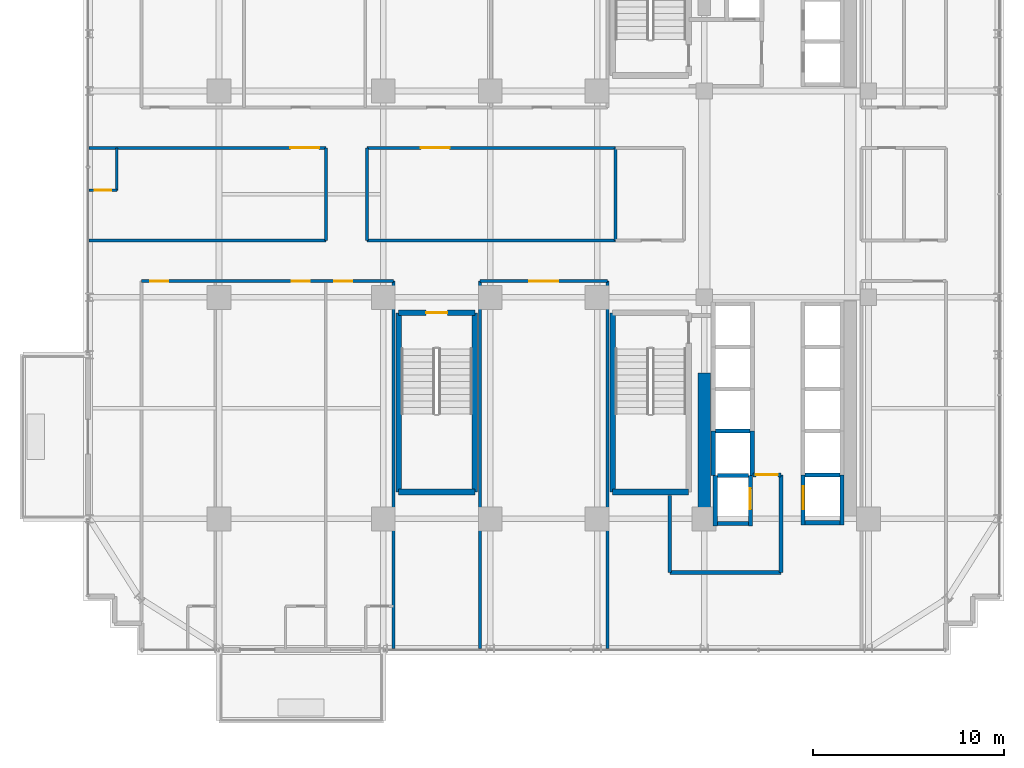
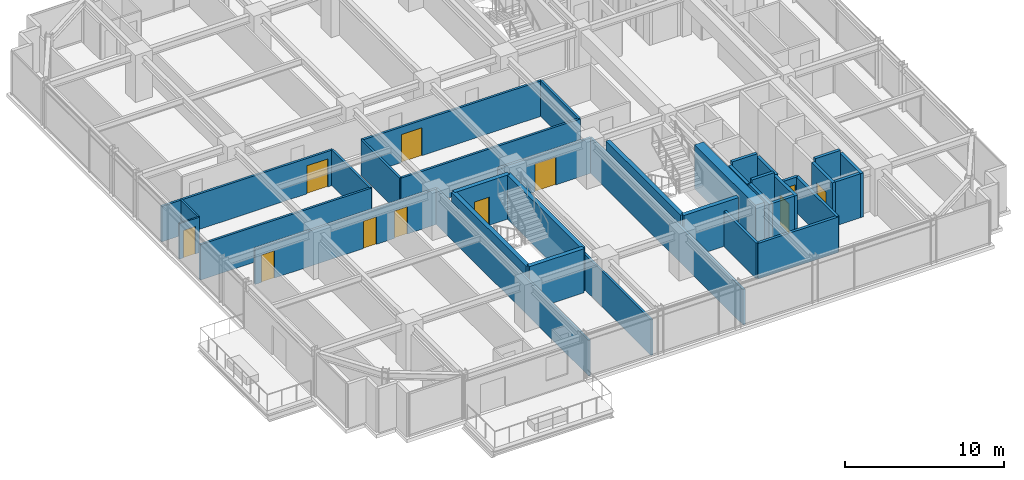
# One storey, part 26 of 32: 36 walls, 11 doors, 11 openings.
"""IFC4 building model written with IfcOpenShell, lengths in metres."""

from ifc_helpers import new_model, si_unit, direction, frame, frame_2d, origin, place, context, subcontext, project, spatial, rectangle, extrude, source, transform, mapped, material, layer, layer_set, type_object, element, fill, save


model = new_model("IFC4")

# Units and contexts
model_context = context("Model", 3, precision=1e-05, world=origin(), true_north=direction((0.0, 1.0)))
body_context = subcontext(model_context, "Body", "Model", "MODEL_VIEW")
ifc_project = project(units=[si_unit("LENGTHUNIT", "METRE"), si_unit("AREAUNIT", "SQUARE_METRE"), si_unit("VOLUMEUNIT", "CUBIC_METRE"), si_unit("PLANEANGLEUNIT", "RADIAN"), si_unit("MASSUNIT", "GRAM", prefix="KILO")], contexts=[model_context])

# Site, building, storey
site_placement = place(None, origin())
site = spatial("IfcSite", under=ifc_project, at=site_placement, CompositionType="ELEMENT")
building_placement = place(site_placement, origin())
building = spatial("IfcBuilding", under=site, at=building_placement, Name="Nahalor Promenade Grand Hotel", CompositionType="ELEMENT")
storey_placement = place(building_placement, frame((0.0, 0.0, 124.800048828125)))
storey = spatial("IfcBuildingStorey", under=building, at=storey_placement, Name="L31", CompositionType="ELEMENT", Elevation=124.800048828125)

# Walls
ifc_material_1 = material(Name="Concrete B-60 (C50/60)", Category="concrete")
ifc_layer_1 = layer(ifc_material_1, 0.64990234375)
ifc_layer_set_1 = layer_set([ifc_layer_1], Name="Concrete B-60 (C50/60)")
wall_type_1 = type_object("IfcWallType", Name="Wall-CoreShear-650", PredefinedType="SHEAR", material=ifc_layer_set_1)
shared_shape_1 = source(origin(), body_context, "Body", "SweptSolid", [
    extrude(rectangle(XDim=7.64990234375, YDim=0.64990234375, at=frame_2d((3.824951171875, 0.0))), origin(), (0.0, 0.0, 1.0), 3.3798828125),
])
wall_1_placement = place(storey_placement, frame((8.39990234375, -17.0, 0.0), z_axis=(0.0, 0.0, 1.0), x_axis=(0.0, 1.0, 0.0)))
element("IfcWall", 1, at=wall_1_placement, inside=storey, type_object=wall_type_1, Name="CWALL-L31-SW", PredefinedType="SHEAR", context=body_context, shape_type="MappedRepresentation", body=[
    mapped(shared_shape_1, transform((0.0, 0.0, 0.0), scale=1.0)),
])
ifc_material_2 = material(Name="Concrete B-50 (C40/50)", Category="concrete")
ifc_layer_2 = layer(ifc_material_2, 0.300048828125)
ifc_layer_set_2 = layer_set([ifc_layer_2], Name="Concrete B-50 (C40/50)")
wall_type_2 = type_object("IfcWallType", Name="Wall-ShaftShear-300", PredefinedType="SHEAR", material=ifc_layer_set_2)
shared_shape_2 = source(origin(), body_context, "Body", "SweptSolid", [
    extrude(rectangle(XDim=3.97998046875, YDim=0.300048828125, at=frame_2d((1.989990234375, 0.0))), origin(), (0.0, 0.0, 1.0), 3.3798828125),
])
for number, where, z_axis, x_axis, name in (
    (2, (3.610107421875, -15.590087890625, 0.0), (0.0, 0.0, 1.0), (1.0, 0.0, 0.0), "L31 Exit Stair ST2 Shaft Wall S"),
    (3, (-7.590087890625, -15.590087890625, 0.0), (0.0, 0.0, 1.0), (1.0, 0.0, 0.0), "L31 Exit Stair ST3 Shaft Wall S"),
):
    element("IfcWall", number, at=place(storey_placement, frame(where, z_axis=z_axis, x_axis=x_axis)), inside=storey, type_object=wall_type_2, Name=name, PredefinedType="SHEAR", context=body_context, shape_type="MappedRepresentation", body=[
        mapped(shared_shape_2, transform((0.0, 0.0, 0.0), scale=1.0)),
    ])

# Wall, opening, door
wall_2_placement = place(storey_placement, frame((-7.590087890625, -6.2099609375, 0.0), z_axis=(0.0, 0.0, 1.0), x_axis=(1.0, 0.0, 0.0)))
wall_2 = element("IfcWall", 4, at=wall_2_placement, inside=storey, type_object=wall_type_2, Name="L31 Exit Stair ST3 Shaft Wall N", PredefinedType="SHEAR", context=body_context, shape_type="MappedRepresentation", body=[
    mapped(shared_shape_2, transform((0.0, 0.0, 0.0), scale=1.0)),
])
opening_1_placement = place(wall_2_placement, frame((1.43994140625, 0.0, 0.0)))
opening_1 = element("IfcOpeningElement", 5, at=opening_1_placement, cuts=wall_2, Name="Opening D-ST1", PredefinedType="OPENING", context=body_context, shape_type="SweptSolid", body=[
    extrude(rectangle(XDim=1.10009765625, YDim=2.14990234375, at=frame_2d((0.550048828125, 1.074951171875))), frame((0.0, 0.159912109375, 0.0), z_axis=(0.0, -1.0, 0.0), x_axis=(1.0, 0.0, 0.0)), (0.0, 0.0, 1.0), 0.320068359375),
])
ifc_material_3 = material(Name="Steel S355JR", Category="steel")
door_type_1 = type_object("IfcDoorType", Name="Door-StairFire-1100", OperationType="NOTDEFINED", PredefinedType="DOOR", material=ifc_material_3)
shared_shape_3 = source(origin(), body_context, "Body", "SweptSolid", [
    extrude(rectangle(XDim=1.10009765625, YDim=2.14990234375, at=frame_2d((0.550048828125, 1.074951171875))), frame((0.0, 0.02490234375, 0.0), z_axis=(0.0, -1.0, 0.0), x_axis=(1.0, 0.0, 0.0)), (0.0, 0.0, 1.0), 0.050048828125),
])
door_1_placement = place(opening_1_placement, frame((1.10009765625, 0.0, 0.0), z_axis=(0.0, 0.0, 1.0), x_axis=(-1.0, 0.0, 0.0)))
door_1 = element("IfcDoor", 6, at=door_1_placement, inside=storey, type_object=door_type_1, Name="DR-STAIR-ST3-L31", OperationType="SINGLE_SWING_RIGHT", OverallHeight=2.14990234375, OverallWidth=1.10009765625, PredefinedType="DOOR", context=body_context, shape_type="MappedRepresentation", body=[
    mapped(shared_shape_3, transform((0.0, 0.0, 0.0), scale=1.0)),
])
fill(opening_1, door_1)

# Walls
shared_shape_4 = source(origin(), body_context, "Body", "SweptSolid", [
    extrude(rectangle(XDim=9.380126953125, YDim=0.300048828125, at=frame_2d((4.68994140625, 0.0))), origin(), (0.0, 0.0, 1.0), 3.3798828125),
])
for number, where, z_axis, x_axis, name in (
    (7, (3.610107421875, -15.590087890625, 0.0), (0.0, 0.0, 1.0), (0.0, 1.0, 0.0), "L31 Exit Stair ST2 Shaft Wall W"),
    (8, (-7.590087890625, -15.590087890625, 0.0), (0.0, 0.0, 1.0), (0.0, 1.0, 0.0), "L31 Exit Stair ST3 Shaft Wall W"),
    (9, (-3.610107421875, -15.590087890625, 0.0), (0.0, 0.0, 1.0), (0.0, 1.0, 0.0), "L31 Exit Stair ST3 Shaft Wall E"),
):
    element("IfcWall", number, at=place(storey_placement, frame(where, z_axis=z_axis, x_axis=x_axis)), inside=storey, type_object=wall_type_2, Name=name, PredefinedType="SHEAR", context=body_context, shape_type="MappedRepresentation", body=[
        mapped(shared_shape_4, transform((0.0, 0.0, 0.0), scale=1.0)),
    ])
ifc_layer_3 = layer(ifc_material_2, 0.219970703125)
ifc_layer_set_3 = layer_set([ifc_layer_3], Name="Concrete B-50 (C40/50)")
wall_type_3 = type_object("IfcWallType", Name="Wall-LiftShaft-220", PredefinedType="SHEAR", material=ifc_layer_set_3)
shared_shape_5 = source(origin(), body_context, "Body", "SweptSolid", [
    extrude(rectangle(XDim=1.820068359375, YDim=0.219970703125, at=frame_2d((0.91015625, 0.0))), origin(), (0.0, 0.0, 1.0), 3.64990234375),
])
for number, where, z_axis, x_axis, name in (
    (10, (8.989990234375, -12.39990234375, 0.0), (0.0, 0.0, 1.0), (1.0, 0.0, 0.0), "L31 Lift PL12 Hoistway Wall N"),
    (11, (13.68994140625, -14.699951171875, 0.0), (0.0, 0.0, 1.0), (1.0, 0.0, 0.0), "L31 Lift SV2 Hoistway Wall N"),
):
    element("IfcWall", number, at=place(storey_placement, frame(where, z_axis=z_axis, x_axis=x_axis)), inside=storey, type_object=wall_type_3, Name=name, PredefinedType="SHEAR", context=body_context, shape_type="MappedRepresentation", body=[
        mapped(shared_shape_5, transform((0.0, 0.0, 0.0), scale=1.0)),
    ])
shared_shape_6 = source(origin(), body_context, "Body", "SweptSolid", [
    extrude(rectangle(XDim=1.820068359375, YDim=0.219970703125, at=frame_2d((0.91015625, 0.0))), origin(), (0.0, 0.0, 1.0), 3.3798828125),
])
wall_3_placement = place(storey_placement, frame((13.68994140625, -17.199951171875, 0.0), z_axis=(0.0, 0.0, 1.0), x_axis=(1.0, 0.0, 0.0)))
element("IfcWall", 12, at=wall_3_placement, inside=storey, type_object=wall_type_3, Name="L31 Lift SV2 Hoistway Wall S", PredefinedType="SHEAR", context=body_context, shape_type="MappedRepresentation", body=[
    mapped(shared_shape_6, transform((0.0, 0.0, 0.0), scale=1.0)),
])
shared_shape_7 = source(origin(), body_context, "Body", "SweptSolid", [
    extrude(rectangle(XDim=2.3251953125, YDim=0.219970703125, at=frame_2d((1.16259765625, 0.0))), origin(), (0.0, 0.0, 1.0), 3.3798828125),
])
for number, where, z_axis, x_axis, name in (
    (13, (8.8798828125, -14.72509765625, 0.0), (0.0, 0.0, 1.0), (0.0, 1.0, 0.0), "L31 Lift PL12 Hoistway Wall W"),
    (14, (10.919921875, -14.72509765625, 0.0), (0.0, 0.0, 1.0), (0.0, 1.0, 0.0), "L31 Lift PL12 Hoistway Wall E"),
):
    element("IfcWall", number, at=place(storey_placement, frame(where, z_axis=z_axis, x_axis=x_axis)), inside=storey, type_object=wall_type_3, Name=name, PredefinedType="SHEAR", context=body_context, shape_type="MappedRepresentation", body=[
        mapped(shared_shape_7, transform((0.0, 0.0, 0.0), scale=1.0)),
    ])
shared_shape_8 = source(origin(), body_context, "Body", "SweptSolid", [
    extrude(rectangle(XDim=1.619873046875, YDim=0.219970703125, at=frame_2d((0.81005859375, 0.0))), origin(), (0.0, 0.0, 1.0), 3.64990234375),
])
wall_4_placement = place(storey_placement, frame((9.090087890625, -14.72509765625, 0.0), z_axis=(0.0, 0.0, 1.0), x_axis=(1.0, 0.0, 0.0)))
element("IfcWall", 15, at=wall_4_placement, inside=storey, type_object=wall_type_3, Name="L31 Lift FL2 Hoistway Wall N", PredefinedType="SHEAR", context=body_context, shape_type="MappedRepresentation", body=[
    mapped(shared_shape_8, transform((0.0, 0.0, 0.0), scale=1.0)),
])
shared_shape_9 = source(origin(), body_context, "Body", "SweptSolid", [
    extrude(rectangle(XDim=2.635009765625, YDim=0.219970703125, at=frame_2d((1.3173828125, 0.0))), origin(), (0.0, 0.0, 1.0), 3.3798828125),
])
wall_5_placement = place(storey_placement, frame((8.97998046875, -17.360107421875, 0.0), z_axis=(0.0, 0.0, 1.0), x_axis=(0.0, 1.0, 0.0)))
element("IfcWall", 16, at=wall_5_placement, inside=storey, type_object=wall_type_3, Name="L31 Lift FL2 Hoistway Wall W", PredefinedType="SHEAR", context=body_context, shape_type="MappedRepresentation", body=[
    mapped(shared_shape_9, transform((0.0, 0.0, 0.0), scale=1.0)),
])

# Wall, opening, door
wall_6_placement = place(storey_placement, frame((10.820068359375, -17.360107421875, 0.0), z_axis=(0.0, 0.0, 1.0), x_axis=(0.0, 1.0, 0.0)))
wall_6 = element("IfcWall", 17, at=wall_6_placement, inside=storey, type_object=wall_type_3, Name="L31 Lift FL2 Hoistway Wall E", PredefinedType="SHEAR", context=body_context, shape_type="MappedRepresentation", body=[
    mapped(shared_shape_9, transform((0.0, 0.0, 0.0), scale=1.0)),
])
opening_2_placement = place(wall_6_placement, frame((0.860107421875, 0.0, 0.0)))
opening_2 = element("IfcOpeningElement", 18, at=opening_2_placement, cuts=wall_6, Name="Opening LD-02", PredefinedType="OPENING", context=body_context, shape_type="SweptSolid", body=[
    extrude(rectangle(XDim=1.10009765625, YDim=2.199951171875, at=frame_2d((0.550048828125, 1.10009765625))), frame((0.0, 0.119873046875, 0.0), z_axis=(0.0, -1.0, 0.0), x_axis=(1.0, 0.0, 0.0)), (0.0, 0.0, 1.0), 0.239990234375),
])
door_type_2 = type_object("IfcDoorType", Name="Door-LiftFF-1100", OperationType="DOUBLE_DOOR_SLIDING", PredefinedType="DOOR", material=ifc_material_3)
shared_shape_10 = source(origin(), body_context, "Body", "SweptSolid", [
    extrude(rectangle(XDim=1.10009765625, YDim=2.199951171875, at=frame_2d((0.550048828125, 1.10009765625))), frame((0.0, 0.02490234375, 0.0), z_axis=(0.0, -1.0, 0.0), x_axis=(1.0, 0.0, 0.0)), (0.0, 0.0, 1.0), 0.050048828125),
])
door_2_placement = place(opening_2_placement, frame((1.10009765625, 0.0, 0.0), z_axis=(0.0, 0.0, 1.0), x_axis=(-1.0, 0.0, 0.0)))
door_2 = element("IfcDoor", 19, at=door_2_placement, inside=storey, type_object=door_type_2, Name="DR-LIFT-FL2-L31", OperationType="DOUBLE_DOOR_SLIDING", OverallHeight=2.199951171875, OverallWidth=1.10009765625, PredefinedType="DOOR", context=body_context, shape_type="MappedRepresentation", body=[
    mapped(shared_shape_10, transform((0.0, 0.0, 0.0), scale=1.0)),
])
fill(opening_2, door_2)

# Wall
shared_shape_11 = source(origin(), body_context, "Body", "SweptSolid", [
    extrude(rectangle(XDim=1.619873046875, YDim=0.219970703125, at=frame_2d((0.81005859375, 0.0))), origin(), (0.0, 0.0, 1.0), 3.3798828125),
])
wall_7_placement = place(storey_placement, frame((9.090087890625, -17.25, 0.0), z_axis=(0.0, 0.0, 1.0), x_axis=(1.0, 0.0, 0.0)))
element("IfcWall", 20, at=wall_7_placement, inside=storey, type_object=wall_type_3, Name="L31 Lift FL2 Hoistway Wall S", PredefinedType="SHEAR", context=body_context, shape_type="MappedRepresentation", body=[
    mapped(shared_shape_11, transform((0.0, 0.0, 0.0), scale=1.0)),
])

# Wall, opening, door
shared_shape_12 = source(origin(), body_context, "Body", "SweptSolid", [
    extrude(rectangle(XDim=2.610107421875, YDim=0.219970703125, at=frame_2d((1.30517578125, 0.0))), origin(), (0.0, 0.0, 1.0), 3.3798828125),
])
wall_8_placement = place(storey_placement, frame((13.580078125, -17.31005859375, 0.0), z_axis=(0.0, 0.0, 1.0), x_axis=(0.0, 1.0, 0.0)))
wall_8 = element("IfcWall", 21, at=wall_8_placement, inside=storey, type_object=wall_type_3, Name="L31 Lift SV2 Hoistway Wall W", PredefinedType="SHEAR", context=body_context, shape_type="MappedRepresentation", body=[
    mapped(shared_shape_12, transform((0.0, 0.0, 0.0), scale=1.0)),
])
opening_3_placement = place(wall_8_placement, frame((0.81005859375, 0.0, 0.0)))
opening_3 = element("IfcOpeningElement", 22, at=opening_3_placement, cuts=wall_8, Name="Opening LD-03", PredefinedType="OPENING", context=body_context, shape_type="SweptSolid", body=[
    extrude(rectangle(XDim=1.199951171875, YDim=2.199951171875, at=frame_2d((0.60009765625, 1.10009765625))), frame((0.0, 0.119873046875, 0.0), z_axis=(0.0, -1.0, 0.0), x_axis=(1.0, 0.0, 0.0)), (0.0, 0.0, 1.0), 0.239990234375),
])
door_type_3 = type_object("IfcDoorType", Name="Door-LiftService-1200", OperationType="DOUBLE_DOOR_SLIDING", PredefinedType="DOOR", material=ifc_material_3)
shared_shape_13 = source(origin(), body_context, "Body", "SweptSolid", [
    extrude(rectangle(XDim=1.199951171875, YDim=2.199951171875, at=frame_2d((0.60009765625, 1.10009765625))), frame((0.0, 0.02490234375, 0.0), z_axis=(0.0, -1.0, 0.0), x_axis=(1.0, 0.0, 0.0)), (0.0, 0.0, 1.0), 0.050048828125),
])
door_3_placement = place(opening_3_placement, origin())
door_3 = element("IfcDoor", 23, at=door_3_placement, inside=storey, type_object=door_type_3, Name="DR-LIFT-SV2-L31", OperationType="DOUBLE_DOOR_SLIDING", OverallHeight=2.199951171875, OverallWidth=1.199951171875, PredefinedType="DOOR", context=body_context, shape_type="MappedRepresentation", body=[
    mapped(shared_shape_13, transform((0.0, 0.0, 0.0), scale=1.0)),
])
fill(opening_3, door_3)

# Walls
wall_9_placement = place(storey_placement, frame((15.6201171875, -17.31005859375, 0.0), z_axis=(0.0, 0.0, 1.0), x_axis=(0.0, 1.0, 0.0)))
element("IfcWall", 24, at=wall_9_placement, inside=storey, type_object=wall_type_3, Name="L31 Lift SV2 Hoistway Wall E", PredefinedType="SHEAR", context=body_context, shape_type="MappedRepresentation", body=[
    mapped(shared_shape_12, transform((0.0, 0.0, 0.0), scale=1.0)),
])
ifc_material_4 = material(Name="Concrete B-40 (C32/40)", Category="concrete")
ifc_layer_4 = layer(ifc_material_4, 0.199951171875)
ifc_layer_set_4 = layer_set([ifc_layer_4], Name="Concrete B-40 (C32/40)")
wall_type_4 = type_object("IfcWallType", Name="Wall-PartFire-200", PredefinedType="PARTITIONING", material=ifc_layer_set_4)
shared_shape_14 = source(origin(), body_context, "Body", "SweptSolid", [
    extrude(rectangle(XDim=5.81982421875, YDim=0.199951171875, at=frame_2d((2.909912109375, 0.0))), origin(), (0.0, 0.0, 1.0), 2.719970703125),
])
wall_10_placement = place(storey_placement, frame((6.60009765625, -19.800048828125, 0.0), z_axis=(0.0, 0.0, 1.0), x_axis=(1.0, 0.0, 0.0)))
element("IfcWall", 25, at=wall_10_placement, inside=storey, type_object=wall_type_4, Name="W-L31-FF2-S1", PredefinedType="PARTITIONING", context=body_context, shape_type="MappedRepresentation", body=[
    mapped(shared_shape_14, transform((0.0, 0.0, 0.0), scale=1.0)),
])
shared_shape_15 = source(origin(), body_context, "Body", "SweptSolid", [
    extrude(rectangle(XDim=4.030029296875, YDim=0.199951171875, at=frame_2d((2.01513671875, 0.0))), origin(), (0.0, 0.0, 1.0), 2.719970703125),
])
wall_11_placement = place(storey_placement, frame((6.60009765625, -19.800048828125, 0.0), z_axis=(0.0, 0.0, 1.0), x_axis=(0.0, 1.0, 0.0)))
element("IfcWall", 26, at=wall_11_placement, inside=storey, type_object=wall_type_4, Name="W-L31-FF2-W1", PredefinedType="PARTITIONING", context=body_context, shape_type="MappedRepresentation", body=[
    mapped(shared_shape_15, transform((0.0, 0.0, 0.0), scale=1.0)),
])
shared_shape_16 = source(origin(), body_context, "Body", "SweptSolid", [
    extrude(rectangle(XDim=5.10009765625, YDim=0.199951171875, at=frame_2d((2.550048828125, 0.0))), origin(), (0.0, 0.0, 1.0), 2.719970703125),
])
wall_12_placement = place(storey_placement, frame((12.419921875, -19.800048828125, 0.0), z_axis=(0.0, 0.0, 1.0), x_axis=(0.0, 1.0, 0.0)))
element("IfcWall", 27, at=wall_12_placement, inside=storey, type_object=wall_type_4, Name="W-L31-FF2-E", PredefinedType="PARTITIONING", context=body_context, shape_type="MappedRepresentation", body=[
    mapped(shared_shape_16, transform((0.0, 0.0, 0.0), scale=1.0)),
])

# Wall, opening, door
shared_shape_17 = source(origin(), body_context, "Body", "SweptSolid", [
    extrude(rectangle(XDim=1.4599609375, YDim=0.199951171875, at=frame_2d((0.72998046875, 0.0))), origin(), (0.0, 0.0, 1.0), 2.719970703125),
])
wall_13_placement = place(storey_placement, frame((10.9599609375, -14.699951171875, 0.0), z_axis=(0.0, 0.0, 1.0), x_axis=(1.0, 0.0, 0.0)))
wall_13 = element("IfcWall", 28, at=wall_13_placement, inside=storey, type_object=wall_type_4, Name="W-L31-FF2-N1", PredefinedType="PARTITIONING", context=body_context, shape_type="MappedRepresentation", body=[
    mapped(shared_shape_17, transform((0.0, 0.0, 0.0), scale=1.0)),
])
opening_4_placement = place(wall_13_placement, frame((0.14501953125, 0.0, 0.0)))
opening_4 = element("IfcOpeningElement", 29, at=opening_4_placement, cuts=wall_13, Name="Opening D-FF1", PredefinedType="OPENING", context=body_context, shape_type="SweptSolid", body=[
    extrude(rectangle(XDim=1.14990234375, YDim=2.14990234375, at=frame_2d((0.574951171875, 1.074951171875))), frame((0.0, 0.10986328125, 0.0), z_axis=(0.0, -1.0, 0.0), x_axis=(1.0, 0.0, 0.0)), (0.0, 0.0, 1.0), 0.219970703125),
])
door_type_4 = type_object("IfcDoorType", Name="Door-FFLobby-1150", OperationType="NOTDEFINED", PredefinedType="DOOR", material=ifc_material_3)
shared_shape_18 = source(origin(), body_context, "Body", "SweptSolid", [
    extrude(rectangle(XDim=1.14990234375, YDim=2.14990234375, at=frame_2d((0.574951171875, 1.074951171875))), frame((0.0, 0.02490234375, 0.0), z_axis=(0.0, -1.0, 0.0), x_axis=(1.0, 0.0, 0.0)), (0.0, 0.0, 1.0), 0.050048828125),
])
door_4_placement = place(opening_4_placement, origin())
door_4 = element("IfcDoor", 30, at=door_4_placement, inside=storey, type_object=door_type_4, Name="DR-L31-FFL2", OperationType="SINGLE_SWING_RIGHT", OverallHeight=2.14990234375, OverallWidth=1.14990234375, PredefinedType="DOOR", context=body_context, shape_type="MappedRepresentation", body=[
    mapped(shared_shape_18, transform((0.0, 0.0, 0.0), scale=1.0)),
])
fill(opening_4, door_4)

# Walls
ifc_material_5 = material(Name="Acoustic Mineral Gypsum", Category="gypsum")
ifc_layer_5 = layer(ifc_material_5, 0.159912109375)
ifc_layer_set_5 = layer_set([ifc_layer_5], Name="Acoustic Mineral Gypsum")
wall_type_5 = type_object("IfcWallType", Name="Wall-PartCorridor-160", PredefinedType="PARTITIONING", material=ifc_layer_set_5)
shared_shape_19 = source(origin(), body_context, "Body", "SweptSolid", [
    extrude(rectangle(XDim=19.25, YDim=0.159912109375, at=frame_2d((9.625, 0.0))), origin(), (0.0, 0.0, 1.0), 2.719970703125),
])
for number, where, z_axis, x_axis, name in (
    (31, (-3.340087890625, -23.800048828125, 0.0), (0.0, 0.0, 1.0), (0.0, 1.0, 0.0), "W-L31-SCB-W"),
    (32, (3.340087890625, -23.800048828125, 0.0), (0.0, 0.0, 1.0), (0.0, 1.0, 0.0), "W-L31-SCB-E"),
):
    element("IfcWall", number, at=place(storey_placement, frame(where, z_axis=z_axis, x_axis=x_axis)), inside=storey, type_object=wall_type_5, Name=name, PredefinedType="PARTITIONING", context=body_context, shape_type="MappedRepresentation", body=[
        mapped(shared_shape_19, transform((0.0, 0.0, 0.0), scale=1.0)),
    ])
ifc_layer_6 = layer(ifc_material_5, 0.139892578125)
ifc_layer_set_6 = layer_set([ifc_layer_6], Name="Acoustic Mineral Gypsum")
wall_type_6 = type_object("IfcWallType", Name="Wall-PartSuite-140", PredefinedType="PARTITIONING", material=ifc_layer_set_6)
shared_shape_20 = source(origin(), body_context, "Body", "SweptSolid", [
    extrude(rectangle(XDim=19.25, YDim=0.139892578125, at=frame_2d((9.625, 0.0))), origin(), (0.0, 0.0, 1.0), 2.719970703125),
])
wall_14_placement = place(storey_placement, frame((-7.860107421875, -23.800048828125, 0.0), z_axis=(0.0, 0.0, 1.0), x_axis=(0.0, 1.0, 0.0)))
element("IfcWall", 33, at=wall_14_placement, inside=storey, type_object=wall_type_6, Name="W-L31-SW-ENDE", PredefinedType="PARTITIONING", context=body_context, shape_type="MappedRepresentation", body=[
    mapped(shared_shape_20, transform((0.0, 0.0, 0.0), scale=1.0)),
])
ifc_layer_7 = layer(ifc_material_5, 0.1201171875)
ifc_layer_set_7 = layer_set([ifc_layer_7], Name="Acoustic Mineral Gypsum")
wall_type_7 = type_object("IfcWallType", Name="Wall-PartBath-120", PredefinedType="PARTITIONING", material=ifc_layer_set_7)
shared_shape_21 = source(origin(), body_context, "Body", "SweptSolid", [
    extrude(rectangle(XDim=2.219970703125, YDim=0.1201171875, at=frame_2d((1.10986328125, 0.0))), origin(), (0.0, 0.0, 1.0), 2.719970703125),
])
wall_15_placement = place(storey_placement, frame((-22.35009765625, 0.199951171875, 0.0), z_axis=(0.0, 0.0, 1.0), x_axis=(0.0, 1.0, 0.0)))
element("IfcWall", 34, at=wall_15_placement, inside=storey, type_object=wall_type_7, Name="W-L31-W1-BV", PredefinedType="PARTITIONING", context=body_context, shape_type="MappedRepresentation", body=[
    mapped(shared_shape_21, transform((0.0, 0.0, 0.0), scale=1.0)),
])

# Wall, opening, door
shared_shape_22 = source(origin(), body_context, "Body", "SweptSolid", [
    extrude(rectangle(XDim=1.449951171875, YDim=0.1201171875, at=frame_2d((0.72509765625, 0.0))), origin(), (0.0, 0.0, 1.0), 2.719970703125),
])
wall_16_placement = place(storey_placement, frame((-23.800048828125, 0.199951171875, 0.0), z_axis=(0.0, 0.0, 1.0), x_axis=(1.0, 0.0, 0.0)))
wall_16 = element("IfcWall", 35, at=wall_16_placement, inside=storey, type_object=wall_type_7, Name="W-L31-W1-BH", PredefinedType="PARTITIONING", context=body_context, shape_type="MappedRepresentation", body=[
    mapped(shared_shape_22, transform((0.0, 0.0, 0.0), scale=1.0)),
])
opening_5_placement = place(wall_16_placement, frame((0.284912109375, 0.0, 0.0)))
opening_5 = element("IfcOpeningElement", 36, at=opening_5_placement, cuts=wall_16, Name="Opening D-03", PredefinedType="OPENING", context=body_context, shape_type="SweptSolid", body=[
    extrude(rectangle(XDim=0.8798828125, YDim=2.10009765625, at=frame_2d((0.43994140625, 1.050048828125))), frame((0.0, 0.070068359375, 0.0), z_axis=(0.0, -1.0, 0.0), x_axis=(1.0, 0.0, 0.0)), (0.0, 0.0, 1.0), 0.14013671875),
])
ifc_material_6 = material(Name="Fire-Rated Timber Composite", Category="wood")
door_type_5 = type_object("IfcDoorType", Name="Door-BathSwing-880", OperationType="NOTDEFINED", PredefinedType="DOOR", material=ifc_material_6)
shared_shape_23 = source(origin(), body_context, "Body", "SweptSolid", [
    extrude(rectangle(XDim=0.8798828125, YDim=2.10009765625, at=frame_2d((0.43994140625, 1.050048828125))), frame((0.0, 0.02490234375, 0.0), z_axis=(0.0, -1.0, 0.0), x_axis=(1.0, 0.0, 0.0)), (0.0, 0.0, 1.0), 0.050048828125),
])
door_5_placement = place(opening_5_placement, origin())
door_5 = element("IfcDoor", 37, at=door_5_placement, inside=storey, type_object=door_type_5, Name="DR-L31-W1-BATH", OperationType="SINGLE_SWING_RIGHT", OverallHeight=2.10009765625, OverallWidth=0.8798828125, PredefinedType="DOOR", context=body_context, shape_type="MappedRepresentation", body=[
    mapped(shared_shape_23, transform((0.0, 0.0, 0.0), scale=1.0)),
])
fill(opening_5, door_5)

# Wall, openings, doors
shared_shape_24 = source(origin(), body_context, "Body", "SweptSolid", [
    extrude(rectangle(XDim=13.199951171875, YDim=0.159912109375, at=frame_2d((6.60009765625, 0.0))), origin(), (0.0, 0.0, 1.0), 2.719970703125),
])
wall_17_placement = place(storey_placement, frame((-21.06005859375, -4.550048828125, 0.0), z_axis=(0.0, 0.0, 1.0), x_axis=(1.0, 0.0, 0.0)))
wall_17 = element("IfcWall", 38, at=wall_17_placement, inside=storey, type_object=wall_type_5, Name="W-L31-CORR-S", PredefinedType="PARTITIONING", context=body_context, shape_type="MappedRepresentation", body=[
    mapped(shared_shape_24, transform((0.0, 0.0, 0.0), scale=1.0)),
])
opening_6_placement = place(wall_17_placement, frame((0.450927734375, 0.0, 0.0)))
opening_6 = element("IfcOpeningElement", 39, at=opening_6_placement, cuts=wall_17, Name="Opening D-01", PredefinedType="OPENING", context=body_context, shape_type="SweptSolid", body=[
    extrude(rectangle(XDim=0.949951171875, YDim=2.10009765625, at=frame_2d((0.47509765625, 1.050048828125))), frame((0.0, 0.08984375, 0.0), z_axis=(0.0, -1.0, 0.0), x_axis=(1.0, 0.0, 0.0)), (0.0, 0.0, 1.0), 0.179931640625),
])
opening_7_placement = place(wall_17_placement, frame((7.85791015625, 0.0, 0.0)))
opening_7 = element("IfcOpeningElement", 40, at=opening_7_placement, cuts=wall_17, Name="Opening D-01", PredefinedType="OPENING", context=body_context, shape_type="SweptSolid", body=[
    extrude(rectangle(XDim=0.949951171875, YDim=2.10009765625, at=frame_2d((0.47509765625, 1.050048828125))), frame((0.0, 0.08984375, 0.0), z_axis=(0.0, -1.0, 0.0), x_axis=(1.0, 0.0, 0.0)), (0.0, 0.0, 1.0), 0.179931640625),
])
opening_8_placement = place(wall_17_placement, frame((10.093994140625, 0.0, 0.0)))
opening_8 = element("IfcOpeningElement", 41, at=opening_8_placement, cuts=wall_17, Name="Opening D-01", PredefinedType="OPENING", context=body_context, shape_type="SweptSolid", body=[
    extrude(rectangle(XDim=0.949951171875, YDim=2.10009765625, at=frame_2d((0.47509765625, 1.050048828125))), frame((0.0, 0.08984375, 0.0), z_axis=(0.0, -1.0, 0.0), x_axis=(1.0, 0.0, 0.0)), (0.0, 0.0, 1.0), 0.179931640625),
])
door_type_6 = type_object("IfcDoorType", Name="Door-GuestEntry-950", OperationType="NOTDEFINED", PredefinedType="DOOR", material=ifc_material_6)
shared_shape_25 = source(origin(), body_context, "Body", "SweptSolid", [
    extrude(rectangle(XDim=0.949951171875, YDim=2.10009765625, at=frame_2d((0.47509765625, 1.050048828125))), frame((0.0, 0.02490234375, 0.0), z_axis=(0.0, -1.0, 0.0), x_axis=(1.0, 0.0, 0.0)), (0.0, 0.0, 1.0), 0.050048828125),
])
door_6_placement = place(opening_6_placement, frame((0.949951171875, 0.0, 0.0), z_axis=(0.0, 0.0, 1.0), x_axis=(-1.0, 0.0, 0.0)))
door_6 = element("IfcDoor", 42, at=door_6_placement, inside=storey, type_object=door_type_6, Name="DR-L31-S1-ENT", OperationType="SINGLE_SWING_LEFT", OverallHeight=2.10009765625, OverallWidth=0.949951171875, PredefinedType="DOOR", context=body_context, shape_type="MappedRepresentation", body=[
    mapped(shared_shape_25, transform((0.0, 0.0, 0.0), scale=1.0)),
])
fill(opening_6, door_6)
door_7_placement = place(opening_7_placement, frame((0.949951171875, 0.0, 0.0), z_axis=(0.0, 0.0, 1.0), x_axis=(-1.0, 0.0, 0.0)))
door_7 = element("IfcDoor", 43, at=door_7_placement, inside=storey, type_object=door_type_6, Name="DR-L31-S2-ENT", OperationType="SINGLE_SWING_LEFT", OverallHeight=2.10009765625, OverallWidth=0.949951171875, PredefinedType="DOOR", context=body_context, shape_type="MappedRepresentation", body=[
    mapped(shared_shape_25, transform((0.0, 0.0, 0.0), scale=1.0)),
])
fill(opening_7, door_7)
door_8_placement = place(opening_8_placement, frame((0.949951171875, 0.0, 0.0), z_axis=(0.0, 0.0, 1.0), x_axis=(-1.0, 0.0, 0.0)))
door_8 = element("IfcDoor", 44, at=door_8_placement, inside=storey, type_object=door_type_6, Name="DR-L31-S3-ENT", OperationType="SINGLE_SWING_LEFT", OverallHeight=2.10009765625, OverallWidth=0.949951171875, PredefinedType="DOOR", context=body_context, shape_type="MappedRepresentation", body=[
    mapped(shared_shape_25, transform((0.0, 0.0, 0.0), scale=1.0)),
])
fill(opening_8, door_8)

# Walls
shared_shape_26 = source(origin(), body_context, "Body", "SweptSolid", [
    extrude(rectangle(XDim=4.83984375, YDim=0.159912109375, at=frame_2d((2.419921875, 0.0))), origin(), (0.0, 0.0, 1.0), 2.719970703125),
])
for number, where, z_axis, x_axis, name in (
    (45, (-11.39990234375, -2.419921875, 0.0), (0.0, 0.0, 1.0), (0.0, 1.0, 0.0), "W-L31-WEST-E"),
    (46, (-9.25, -2.419921875, 0.0), (0.0, 0.0, 1.0), (0.0, 1.0, 0.0), "W-L31-CM1-W"),
    (47, (3.75, -2.419921875, 0.0), (0.0, 0.0, 1.0), (0.0, 1.0, 0.0), "W-L31-CM1-E"),
):
    element("IfcWall", number, at=place(storey_placement, frame(where, z_axis=z_axis, x_axis=x_axis)), inside=storey, type_object=wall_type_5, Name=name, PredefinedType="PARTITIONING", context=body_context, shape_type="MappedRepresentation", body=[
        mapped(shared_shape_26, transform((0.0, 0.0, 0.0), scale=1.0)),
    ])
shared_shape_27 = source(origin(), body_context, "Body", "SweptSolid", [
    extrude(rectangle(XDim=13.0, YDim=0.159912109375, at=frame_2d((6.5, 0.0))), origin(), (0.0, 0.0, 1.0), 2.719970703125),
])
wall_18_placement = place(storey_placement, frame((-9.25, -2.419921875, 0.0), z_axis=(0.0, 0.0, 1.0), x_axis=(1.0, 0.0, 0.0)))
element("IfcWall", 48, at=wall_18_placement, inside=storey, type_object=wall_type_5, Name="W-L31-CM1-S", PredefinedType="PARTITIONING", context=body_context, shape_type="MappedRepresentation", body=[
    mapped(shared_shape_27, transform((0.0, 0.0, 0.0), scale=1.0)),
])

# Wall, opening, door
wall_19_placement = place(storey_placement, frame((-9.25, 2.419921875, 0.0), z_axis=(0.0, 0.0, 1.0), x_axis=(1.0, 0.0, 0.0)))
wall_19 = element("IfcWall", 49, at=wall_19_placement, inside=storey, type_object=wall_type_5, Name="W-L31-CM1-N", PredefinedType="PARTITIONING", context=body_context, shape_type="MappedRepresentation", body=[
    mapped(shared_shape_27, transform((0.0, 0.0, 0.0), scale=1.0)),
])
opening_9_placement = place(wall_19_placement, frame((2.818115234375, 0.0, 0.0)))
opening_9 = element("IfcOpeningElement", 50, at=opening_9_placement, cuts=wall_19, Name="Opening D-02", PredefinedType="OPENING", context=body_context, shape_type="SweptSolid", body=[
    extrude(rectangle(XDim=1.5, YDim=2.14990234375, at=frame_2d((0.75, 1.074951171875))), frame((0.0, 0.08984375, 0.0), z_axis=(0.0, -1.0, 0.0), x_axis=(1.0, 0.0, 0.0)), (0.0, 0.0, 1.0), 0.179931640625),
])
door_type_7 = type_object("IfcDoorType", Name="Door-SuiteDouble-1500", OperationType="DOUBLE_DOOR_SINGLE_SWING", PredefinedType="DOOR", material=ifc_material_6)
shared_shape_28 = source(origin(), body_context, "Body", "SweptSolid", [
    extrude(rectangle(XDim=1.5, YDim=2.14990234375, at=frame_2d((0.75, 1.074951171875))), frame((0.0, 0.02490234375, 0.0), z_axis=(0.0, -1.0, 0.0), x_axis=(1.0, 0.0, 0.0)), (0.0, 0.0, 1.0), 0.050048828125),
])
door_9_placement = place(opening_9_placement, frame((1.5, 0.0, 0.0), z_axis=(0.0, 0.0, 1.0), x_axis=(-1.0, 0.0, 0.0)))
door_9 = element("IfcDoor", 51, at=door_9_placement, inside=storey, type_object=door_type_7, Name="DR-L31-CM1", OperationType="DOUBLE_DOOR_SINGLE_SWING", OverallHeight=2.14990234375, OverallWidth=1.5, PredefinedType="DOOR", context=body_context, shape_type="MappedRepresentation", body=[
    mapped(shared_shape_28, transform((0.0, 0.0, 0.0), scale=1.0)),
])
fill(opening_9, door_9)

shared_shape_29 = source(origin(), body_context, "Body", "SweptSolid", [
    extrude(rectangle(XDim=6.68017578125, YDim=0.159912109375, at=frame_2d((3.340087890625, 0.0))), origin(), (0.0, 0.0, 1.0), 2.719970703125),
])
wall_20_placement = place(storey_placement, frame((-3.340087890625, -4.550048828125, 0.0), z_axis=(0.0, 0.0, 1.0), x_axis=(1.0, 0.0, 0.0)))
wall_20 = element("IfcWall", 52, at=wall_20_placement, inside=storey, type_object=wall_type_5, Name="W-L31-SCB-N", PredefinedType="PARTITIONING", context=body_context, shape_type="MappedRepresentation", body=[
    mapped(shared_shape_29, transform((0.0, 0.0, 0.0), scale=1.0)),
])
opening_10_placement = place(wall_20_placement, frame((2.590087890625, 0.0, 0.0)))
opening_10 = element("IfcOpeningElement", 53, at=opening_10_placement, cuts=wall_20, Name="Opening D-02", PredefinedType="OPENING", context=body_context, shape_type="SweptSolid", body=[
    extrude(rectangle(XDim=1.5, YDim=2.14990234375, at=frame_2d((0.75, 1.074951171875))), frame((0.0, 0.08984375, 0.0), z_axis=(0.0, -1.0, 0.0), x_axis=(1.0, 0.0, 0.0)), (0.0, 0.0, 1.0), 0.179931640625),
])
door_10_placement = place(opening_10_placement, frame((1.5, 0.0, 0.0), z_axis=(0.0, 0.0, 1.0), x_axis=(-1.0, 0.0, 0.0)))
door_10 = element("IfcDoor", 54, at=door_10_placement, inside=storey, type_object=door_type_7, Name="DR-L31-SCB", OperationType="DOUBLE_DOOR_SINGLE_SWING", OverallHeight=2.14990234375, OverallWidth=1.5, PredefinedType="DOOR", context=body_context, shape_type="MappedRepresentation", body=[
    mapped(shared_shape_28, transform((0.0, 0.0, 0.0), scale=1.0)),
])
fill(opening_10, door_10)

shared_shape_30 = source(origin(), body_context, "Body", "SweptSolid", [
    extrude(rectangle(XDim=12.400146484375, YDim=0.159912109375, at=frame_2d((6.2001953125, 0.0))), origin(), (0.0, 0.0, 1.0), 2.719970703125),
])
wall_21_placement = place(storey_placement, frame((-23.800048828125, 2.419921875, 0.0), z_axis=(0.0, 0.0, 1.0), x_axis=(1.0, 0.0, 0.0)))
wall_21 = element("IfcWall", 55, at=wall_21_placement, inside=storey, type_object=wall_type_5, Name="W-L31-WEST-N", PredefinedType="PARTITIONING", context=body_context, shape_type="MappedRepresentation", body=[
    mapped(shared_shape_30, transform((0.0, 0.0, 0.0), scale=1.0)),
])
opening_11_placement = place(wall_21_placement, frame((10.5390625, 0.0, 0.0)))
opening_11 = element("IfcOpeningElement", 56, at=opening_11_placement, cuts=wall_21, Name="Opening D-02", PredefinedType="OPENING", context=body_context, shape_type="SweptSolid", body=[
    extrude(rectangle(XDim=1.5, YDim=2.14990234375, at=frame_2d((0.75, 1.074951171875))), frame((0.0, 0.08984375, 0.0), z_axis=(0.0, -1.0, 0.0), x_axis=(1.0, 0.0, 0.0)), (0.0, 0.0, 1.0), 0.179931640625),
])
door_11_placement = place(opening_11_placement, origin())
door_11 = element("IfcDoor", 57, at=door_11_placement, inside=storey, type_object=door_type_7, Name="DR-L31-W1-ENT", OperationType="DOUBLE_DOOR_SINGLE_SWING", OverallHeight=2.14990234375, OverallWidth=1.5, PredefinedType="DOOR", context=body_context, shape_type="MappedRepresentation", body=[
    mapped(shared_shape_28, transform((0.0, 0.0, 0.0), scale=1.0)),
])
fill(opening_11, door_11)

# Wall
wall_22_placement = place(storey_placement, frame((-23.800048828125, -2.419921875, 0.0), z_axis=(0.0, 0.0, 1.0), x_axis=(1.0, 0.0, 0.0)))
element("IfcWall", 58, at=wall_22_placement, inside=storey, type_object=wall_type_5, Name="W-L31-WEST-S", PredefinedType="PARTITIONING", context=body_context, shape_type="MappedRepresentation", body=[
    mapped(shared_shape_30, transform((0.0, 0.0, 0.0), scale=1.0)),
])

save(model, "model.ifc")
